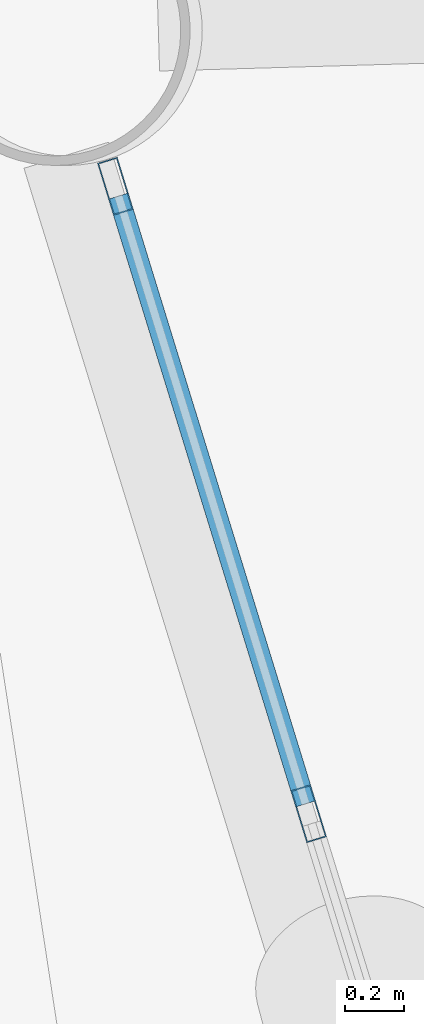
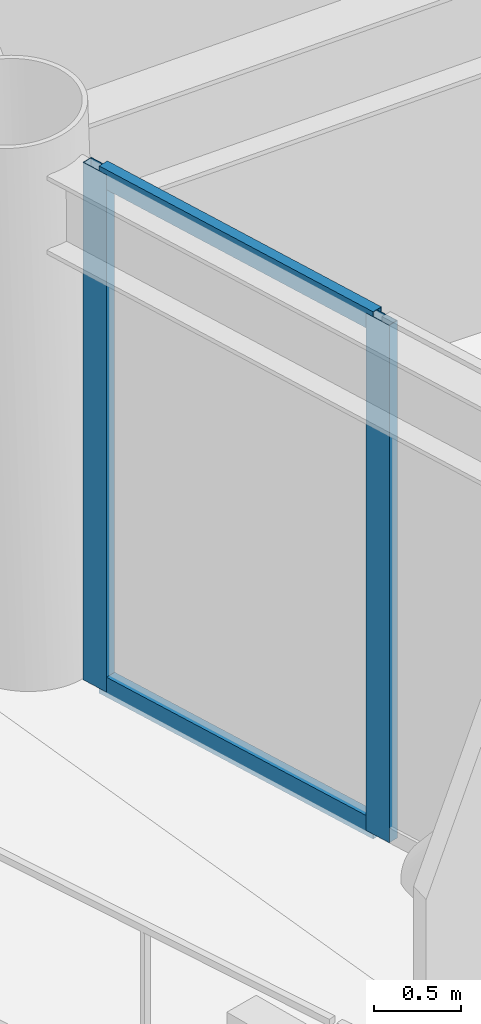
# One storey, part 8 of 25: 4 members, 1 element without a shape of its own.
"""IFC4 building model written with IfcOpenShell, lengths in metres."""

from ifc_helpers import new_model, si_unit, direction, frame, origin, origin_2d, place, context, subcontext, project, spatial, hollow_rectangle, extrude, material, layer, layer_set, material_profile, profile_set, type_object, element, aggregate, save


model = new_model("IFC4")

# Units and contexts
model_context = context("Model", 3, precision=1e-05, world=origin(), true_north=direction((0.0, 1.0)))
body_context = subcontext(model_context, "Body", "Model", "MODEL_VIEW")
ifc_project = project(units=[si_unit("LENGTHUNIT", "METRE"), si_unit("AREAUNIT", "SQUARE_METRE"), si_unit("VOLUMEUNIT", "CUBIC_METRE"), si_unit("PLANEANGLEUNIT", "RADIAN"), si_unit("MASSUNIT", "GRAM", prefix="KILO")], contexts=[model_context])

# Site, building, storey
site_placement = place(None, origin())
site = spatial("IfcSite", under=ifc_project, at=site_placement, CompositionType="ELEMENT")
building_placement = place(site_placement, origin())
building = spatial("IfcBuilding", under=site, at=building_placement, Name="Varnakorn Sky Granary", CompositionType="ELEMENT")
storey_placement = place(building_placement, frame((0.0, 0.0, 54.89990234375)))
storey = spatial("IfcBuildingStorey", under=building, at=storey_placement, Name="L13", CompositionType="ELEMENT", Elevation=54.89990234375)

# Curtain wall, members
ifc_material = material(Name="Anodised Bronze Aluminium Alloy 6063-T6", Category="aluminium")
ifc_layer = layer(ifc_material, 0.18994140625, Name="Anodised Bronze Aluminium Alloy 6063-T6")
ifc_layer_set = layer_set([ifc_layer], Name="Anodised Bronze Aluminium Alloy 6063-T6")
curtain_wall_type = type_object("IfcCurtainWallType", Name="CW-FRM-1", PredefinedType="USERDEFINED", material=ifc_layer_set)
curtain_wall_placement = place(storey_placement, origin())
curtain_wall = element("IfcCurtainWall", 1, at=curtain_wall_placement, inside=storey, type_object=curtain_wall_type, Name="Unitised Curtain Wall CW3 CW-L13-B07", ObjectType="CURTAIN WALL", PredefinedType="USERDEFINED")
ifc_material_profile_1 = material_profile(ifc_material, hollow_rectangle(XDim=0.070068359375, YDim=0.18505859375, WallThickness=0.00390625, at=origin_2d()), Name="ALU MULL 70x185")
ifc_profile_set_1 = profile_set([ifc_material_profile_1], Name="Anodised Bronze Aluminium Alloy 6063-T6")
member_type_1 = type_object("IfcMemberType", Name="CW-FRM-1-MULL", PredefinedType="MULLION", material=ifc_profile_set_1)
member_1_placement = place(storey_placement, frame((-21.936767578125, -2.653564453125, 0.0), z_axis=(0.0, 0.0, 1.0), x_axis=(-0.955710084945, -0.294309757797, 0.0)))
member_1 = element("IfcMember", 2, at=member_1_placement, type_object=member_type_1, Name="CW3 mullion 4", PredefinedType="MULLION", context=body_context, shape_type="SweptSolid", body=[
    extrude(hollow_rectangle(XDim=0.070068359375, YDim=0.18505859375, WallThickness=0.00390625, at=origin_2d()), origin(), (0.0, 0.0, 1.0), 3.64013671875),
])
member_2_placement = place(storey_placement, frame((-22.591552734375, -0.527587890625, 0.0), z_axis=(0.0, 0.0, 1.0), x_axis=(-0.955710084945, -0.294309757797, 0.0)))
member_2 = element("IfcMember", 3, at=member_2_placement, type_object=member_type_1, Name="CW3 mullion 5", PredefinedType="MULLION", context=body_context, shape_type="SweptSolid", body=[
    extrude(hollow_rectangle(XDim=0.070068359375, YDim=0.18505859375, WallThickness=0.00390625, at=origin_2d()), origin(), (0.0, 0.0, 1.0), 3.64013671875),
])
ifc_material_profile_2 = material_profile(ifc_material, hollow_rectangle(XDim=0.070068359375, YDim=0.139892578125, WallThickness=0.00341796875, at=origin_2d()), Name="ALU TRAN 70x140")
ifc_profile_set_2 = profile_set([ifc_material_profile_2], Name="Anodised Bronze Aluminium Alloy 6063-T6")
member_type_2 = type_object("IfcMemberType", Name="CW-FRM-1-TRAN", PredefinedType="USERDEFINED", material=ifc_profile_set_2)
member_3_placement = place(storey_placement, frame((-21.947021484375, -2.6201171875, 0.03515625), z_axis=(-0.294388411708, 0.955685860025, 0.0), x_axis=(-0.955685860025, -0.294388411708, 0.0)))
member_3 = element("IfcMember", 4, at=member_3_placement, type_object=member_type_2, Name="CW3 transom 4.1", ObjectType="TRANSOM", PredefinedType="USERDEFINED", context=body_context, shape_type="SweptSolid", body=[
    extrude(hollow_rectangle(XDim=0.070068359375, YDim=0.139892578125, WallThickness=0.00341796875, at=origin_2d()), origin(), (0.0, 0.0, 1.0), 2.154541015625),
])
member_4_placement = place(storey_placement, frame((-21.947021484375, -2.6201171875, 3.60498046875), z_axis=(-0.294388411708, 0.955685860025, 0.0), x_axis=(-0.955685860025, -0.294388411708, 0.0)))
member_4 = element("IfcMember", 5, at=member_4_placement, type_object=member_type_2, Name="CW3 transom 4.2", ObjectType="TRANSOM", PredefinedType="USERDEFINED", context=body_context, shape_type="SweptSolid", body=[
    extrude(hollow_rectangle(XDim=0.070068359375, YDim=0.139892578125, WallThickness=0.00341796875, at=origin_2d()), origin(), (0.0, 0.0, 1.0), 2.154541015625),
])
aggregate(curtain_wall, [member_1, member_2, member_3, member_4])

save(model, "model.ifc")
